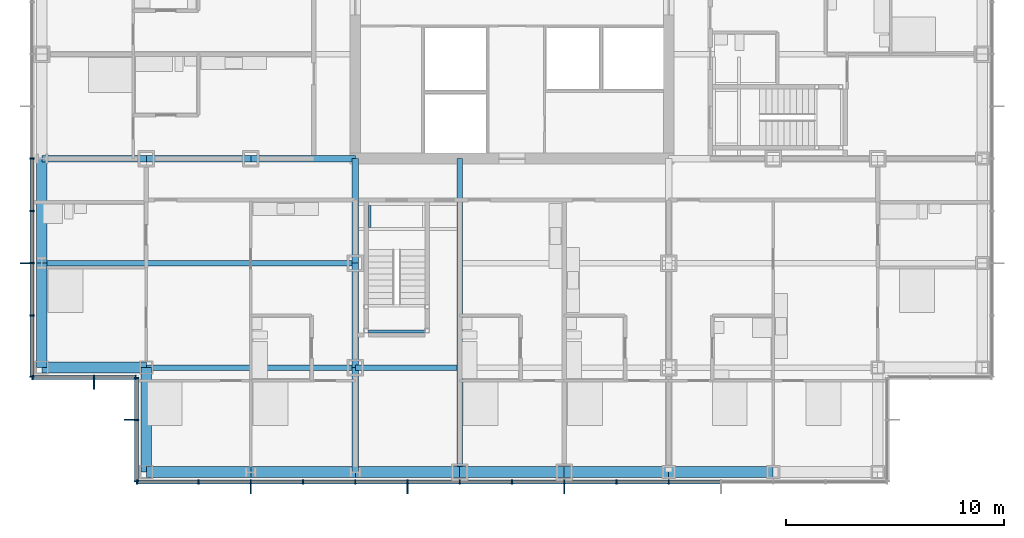
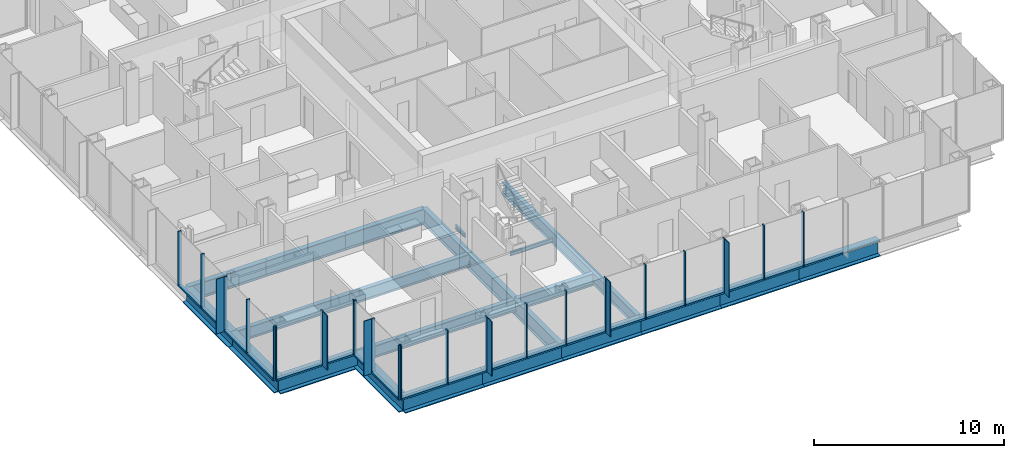
# One storey, part 6 of 21: 47 members, 22 beams, 4 elements without a shape of their own.
"""IFC4 building model written with IfcOpenShell, lengths in metres."""

from ifc_helpers import new_model, si_unit, direction, frame, origin, origin_2d, place, context, subcontext, project, spatial, rectangle, i_section, extrude, material, material_profile, profile_set, type_object, element, aggregate, save


model = new_model("IFC4")

# Units and contexts
model_context = context("Model", 3, precision=1e-05, world=origin(), true_north=direction((0.0, 1.0)))
body_context = subcontext(model_context, "Body", "Model", "MODEL_VIEW")
ifc_project = project(units=[si_unit("LENGTHUNIT", "METRE"), si_unit("AREAUNIT", "SQUARE_METRE"), si_unit("VOLUMEUNIT", "CUBIC_METRE"), si_unit("PLANEANGLEUNIT", "RADIAN"), si_unit("MASSUNIT", "GRAM", prefix="KILO")], contexts=[model_context])

# Site, building, storey
site_placement = place(None, origin())
site = spatial("IfcSite", under=ifc_project, at=site_placement, CompositionType="ELEMENT")
building_placement = place(site_placement, origin())
building = spatial("IfcBuilding", under=site, at=building_placement, Name="Kvirike Care Tower", CompositionType="ELEMENT")
storey_placement = place(building_placement, frame((0.0, 0.0, 55.0)))
storey = spatial("IfcBuildingStorey", under=building, at=storey_placement, Name="L14", CompositionType="ELEMENT", Elevation=55.0)

# Curtain wall, member
ifc_material_1 = material(Name="Anodised aluminium stick system", Category="aluminium")
curtain_wall_type = type_object("IfcCurtainWallType", Name="CW-A STICK CURTAIN WALL", PredefinedType="NOTDEFINED", material=ifc_material_1)
curtain_wall_1_placement = place(storey_placement, origin())
curtain_wall_1 = element("IfcCurtainWall", 1, at=curtain_wall_1_placement, inside=storey, type_object=curtain_wall_type, Name="Curtain wall L14 face 1", PredefinedType="NOTDEFINED")
ifc_material_2 = material(Name="Bronze anodised aluminium fin", Category="aluminium")
ifc_material_profile_1 = material_profile(ifc_material_2, rectangle(XDim=0.050048828125, YDim=0.449951171875, at=origin_2d()), Name="BRONZE FIN 450")
ifc_profile_set_1 = profile_set([ifc_material_profile_1], Name="Bronze anodised aluminium fin")
member_type_1 = type_object("IfcMemberType", Name="BRONZE FIN 450", PredefinedType="USERDEFINED", material=ifc_profile_set_1)
member_1_placement = place(storey_placement, frame((-0.77490234375, 24.0, 0.0), z_axis=(0.0, 0.0, 1.0), x_axis=(0.0, -1.0, 0.0)))
member_1 = element("IfcMember", 2, at=member_1_placement, type_object=member_type_1, Name="Bronze fin L14 face 1.13", ObjectType="FIN", PredefinedType="USERDEFINED", context=body_context, shape_type="SweptSolid", body=[
    extrude(rectangle(XDim=0.050048828125, YDim=0.449951171875, at=origin_2d()), origin(), (0.0, 0.0, 1.0), 3.5),
])

curtain_wall_2_placement = place(storey_placement, origin())
curtain_wall_2 = element("IfcCurtainWall", 3, at=curtain_wall_2_placement, inside=storey, type_object=curtain_wall_type, Name="Curtain wall L14 face 2", PredefinedType="NOTDEFINED")
member_2_placement = place(storey_placement, frame((2.39990234375, 18.425048828125, 0.0), z_axis=(0.0, 0.0, 1.0), x_axis=(1.0, 0.0, 0.0)))
member_2 = element("IfcMember", 4, at=member_2_placement, type_object=member_type_1, Name="Bronze fin L14 face 2.2", ObjectType="FIN", PredefinedType="USERDEFINED", context=body_context, shape_type="SweptSolid", body=[
    extrude(rectangle(XDim=0.050048828125, YDim=0.449951171875, at=origin_2d()), origin(), (0.0, 0.0, 1.0), 3.5),
])

curtain_wall_3_placement = place(storey_placement, origin())
curtain_wall_3 = element("IfcCurtainWall", 5, at=curtain_wall_3_placement, inside=storey, type_object=curtain_wall_type, Name="Curtain wall L14 face 3", PredefinedType="NOTDEFINED")
member_3_placement = place(storey_placement, frame((4.02490234375, 16.800048828125, 0.0), z_axis=(0.0, 0.0, 1.0), x_axis=(0.0, -1.0, 0.0)))
member_3 = element("IfcMember", 6, at=member_3_placement, type_object=member_type_1, Name="Bronze fin L14 face 3.2", ObjectType="FIN", PredefinedType="USERDEFINED", context=body_context, shape_type="SweptSolid", body=[
    extrude(rectangle(XDim=0.050048828125, YDim=0.449951171875, at=origin_2d()), origin(), (0.0, 0.0, 1.0), 3.5),
])

# Curtain wall, members
curtain_wall_4_placement = place(storey_placement, origin())
curtain_wall_4 = element("IfcCurtainWall", 7, at=curtain_wall_4_placement, inside=storey, type_object=curtain_wall_type, Name="Curtain wall L14 face 4", PredefinedType="NOTDEFINED")
member_4_placement = place(storey_placement, frame((9.60009765625, 13.625, 0.0), z_axis=(0.0, 0.0, 1.0), x_axis=(1.0, 0.0, 0.0)))
member_4 = element("IfcMember", 8, at=member_4_placement, type_object=member_type_1, Name="Bronze fin L14 face 4.3", ObjectType="FIN", PredefinedType="USERDEFINED", context=body_context, shape_type="SweptSolid", body=[
    extrude(rectangle(XDim=0.050048828125, YDim=0.449951171875, at=origin_2d()), origin(), (0.0, 0.0, 1.0), 3.5),
])
member_5_placement = place(storey_placement, frame((16.800048828125, 13.625, 0.0), z_axis=(0.0, 0.0, 1.0), x_axis=(1.0, 0.0, 0.0)))
member_5 = element("IfcMember", 9, at=member_5_placement, type_object=member_type_1, Name="Bronze fin L14 face 4.6", ObjectType="FIN", PredefinedType="USERDEFINED", context=body_context, shape_type="SweptSolid", body=[
    extrude(rectangle(XDim=0.050048828125, YDim=0.449951171875, at=origin_2d()), origin(), (0.0, 0.0, 1.0), 3.5),
])
member_6_placement = place(storey_placement, frame((24.0, 13.625, 0.0), z_axis=(0.0, 0.0, 1.0), x_axis=(1.0, 0.0, 0.0)))
member_6 = element("IfcMember", 10, at=member_6_placement, type_object=member_type_1, Name="Bronze fin L14 face 4.9", ObjectType="FIN", PredefinedType="USERDEFINED", context=body_context, shape_type="SweptSolid", body=[
    extrude(rectangle(XDim=0.050048828125, YDim=0.449951171875, at=origin_2d()), origin(), (0.0, 0.0, 1.0), 3.5),
])

# Member
ifc_material_3 = material(Name="Bronze anodised aluminium mullion", Category="aluminium")
ifc_material_profile_2 = material_profile(ifc_material_3, rectangle(XDim=0.06494140625, YDim=0.199951171875, at=origin_2d()), Name="CW-A MULLION 65x200")
ifc_profile_set_2 = profile_set([ifc_material_profile_2], Name="Bronze anodised aluminium mullion")
member_type_2 = type_object("IfcMemberType", Name="CW-A MULLION 65x200", PredefinedType="MULLION", material=ifc_profile_set_2)
member_7_placement = place(storey_placement, frame((-0.449951171875, 28.800048828125, 0.0), z_axis=(0.0, 0.0, 1.0), x_axis=(0.0, -1.0, 0.0)))
member_7 = element("IfcMember", 11, at=member_7_placement, type_object=member_type_2, Name="CW-A mullion L14 face 1.11", PredefinedType="MULLION", context=body_context, shape_type="SweptSolid", body=[
    extrude(rectangle(XDim=0.06494140625, YDim=0.199951171875, at=origin_2d()), origin(), (0.0, 0.0, 1.0), 3.5),
])

member_8_placement = place(storey_placement, frame((-0.449951171875, 26.39990234375, 0.0), z_axis=(0.0, 0.0, 1.0), x_axis=(0.0, -1.0, 0.0)))
member_8 = element("IfcMember", 12, at=member_8_placement, type_object=member_type_2, Name="CW-A mullion L14 face 1.12", PredefinedType="MULLION", context=body_context, shape_type="SweptSolid", body=[
    extrude(rectangle(XDim=0.06494140625, YDim=0.199951171875, at=origin_2d()), origin(), (0.0, 0.0, 1.0), 3.5),
])

member_9_placement = place(storey_placement, frame((-0.449951171875, 24.0, 0.0), z_axis=(0.0, 0.0, 1.0), x_axis=(0.0, -1.0, 0.0)))
member_9 = element("IfcMember", 13, at=member_9_placement, type_object=member_type_2, Name="CW-A mullion L14 face 1.13", PredefinedType="MULLION", context=body_context, shape_type="SweptSolid", body=[
    extrude(rectangle(XDim=0.06494140625, YDim=0.199951171875, at=origin_2d()), origin(), (0.0, 0.0, 1.0), 3.5),
])

member_10_placement = place(storey_placement, frame((-0.449951171875, 21.60009765625, 0.0), z_axis=(0.0, 0.0, 1.0), x_axis=(0.0, -1.0, 0.0)))
member_10 = element("IfcMember", 14, at=member_10_placement, type_object=member_type_2, Name="CW-A mullion L14 face 1.14", PredefinedType="MULLION", context=body_context, shape_type="SweptSolid", body=[
    extrude(rectangle(XDim=0.06494140625, YDim=0.199951171875, at=origin_2d()), origin(), (0.0, 0.0, 1.0), 3.5),
])

member_11_placement = place(storey_placement, frame((-0.449951171875, 18.782470703125, 0.0), z_axis=(0.0, 0.0, 1.0), x_axis=(0.0, -1.0, 0.0)))
member_11 = element("IfcMember", 15, at=member_11_placement, type_object=member_type_2, Name="CW-A mullion L14 face 1.15", PredefinedType="MULLION", context=body_context, shape_type="SweptSolid", body=[
    extrude(rectangle(XDim=0.06494140625, YDim=0.199951171875, at=origin_2d()), origin(), (0.0, 0.0, 1.0), 3.5),
])

member_12_placement = place(storey_placement, frame((-0.41748046875, 18.75, 0.0), z_axis=(0.0, 0.0, 1.0), x_axis=(1.0, 0.0, 0.0)))
member_12 = element("IfcMember", 16, at=member_12_placement, type_object=member_type_2, Name="CW-A mullion L14 face 2.1", PredefinedType="MULLION", context=body_context, shape_type="SweptSolid", body=[
    extrude(rectangle(XDim=0.06494140625, YDim=0.199951171875, at=origin_2d()), origin(), (0.0, 0.0, 1.0), 3.5),
])

member_13_placement = place(storey_placement, frame((2.39990234375, 18.75, 0.0), z_axis=(0.0, 0.0, 1.0), x_axis=(1.0, 0.0, 0.0)))
member_13 = element("IfcMember", 17, at=member_13_placement, type_object=member_type_2, Name="CW-A mullion L14 face 2.2", PredefinedType="MULLION", context=body_context, shape_type="SweptSolid", body=[
    extrude(rectangle(XDim=0.06494140625, YDim=0.199951171875, at=origin_2d()), origin(), (0.0, 0.0, 1.0), 3.5),
])

member_14_placement = place(storey_placement, frame((4.3173828125, 18.75, 0.0), z_axis=(0.0, 0.0, 1.0), x_axis=(1.0, 0.0, 0.0)))
member_14 = element("IfcMember", 18, at=member_14_placement, type_object=member_type_2, Name="CW-A mullion L14 face 2.3", PredefinedType="MULLION", context=body_context, shape_type="SweptSolid", body=[
    extrude(rectangle(XDim=0.06494140625, YDim=0.199951171875, at=origin_2d()), origin(), (0.0, 0.0, 1.0), 3.5),
])

member_15_placement = place(storey_placement, frame((4.35009765625, 18.717529296875, 0.0), z_axis=(0.0, 0.0, 1.0), x_axis=(0.0, -1.0, 0.0)))
member_15 = element("IfcMember", 19, at=member_15_placement, type_object=member_type_2, Name="CW-A mullion L14 face 3.1", PredefinedType="MULLION", context=body_context, shape_type="SweptSolid", body=[
    extrude(rectangle(XDim=0.06494140625, YDim=0.199951171875, at=origin_2d()), origin(), (0.0, 0.0, 1.0), 3.5),
])

member_16_placement = place(storey_placement, frame((4.35009765625, 16.800048828125, 0.0), z_axis=(0.0, 0.0, 1.0), x_axis=(0.0, -1.0, 0.0)))
member_16 = element("IfcMember", 20, at=member_16_placement, type_object=member_type_2, Name="CW-A mullion L14 face 3.2", PredefinedType="MULLION", context=body_context, shape_type="SweptSolid", body=[
    extrude(rectangle(XDim=0.06494140625, YDim=0.199951171875, at=origin_2d()), origin(), (0.0, 0.0, 1.0), 3.5),
])

member_17_placement = place(storey_placement, frame((4.35009765625, 13.982421875, 0.0), z_axis=(0.0, 0.0, 1.0), x_axis=(0.0, -1.0, 0.0)))
member_17 = element("IfcMember", 21, at=member_17_placement, type_object=member_type_2, Name="CW-A mullion L14 face 3.3", PredefinedType="MULLION", context=body_context, shape_type="SweptSolid", body=[
    extrude(rectangle(XDim=0.06494140625, YDim=0.199951171875, at=origin_2d()), origin(), (0.0, 0.0, 1.0), 3.5),
])

member_18_placement = place(storey_placement, frame((4.382568359375, 13.949951171875, 0.0), z_axis=(0.0, 0.0, 1.0), x_axis=(1.0, 0.0, 0.0)))
member_18 = element("IfcMember", 22, at=member_18_placement, type_object=member_type_2, Name="CW-A mullion L14 face 4.1", PredefinedType="MULLION", context=body_context, shape_type="SweptSolid", body=[
    extrude(rectangle(XDim=0.06494140625, YDim=0.199951171875, at=origin_2d()), origin(), (0.0, 0.0, 1.0), 3.5),
])

member_19_placement = place(storey_placement, frame((7.199951171875, 13.949951171875, 0.0), z_axis=(0.0, 0.0, 1.0), x_axis=(1.0, 0.0, 0.0)))
member_19 = element("IfcMember", 23, at=member_19_placement, type_object=member_type_2, Name="CW-A mullion L14 face 4.2", PredefinedType="MULLION", context=body_context, shape_type="SweptSolid", body=[
    extrude(rectangle(XDim=0.06494140625, YDim=0.199951171875, at=origin_2d()), origin(), (0.0, 0.0, 1.0), 3.5),
])

member_20_placement = place(storey_placement, frame((9.60009765625, 13.949951171875, 0.0), z_axis=(0.0, 0.0, 1.0), x_axis=(1.0, 0.0, 0.0)))
member_20 = element("IfcMember", 24, at=member_20_placement, type_object=member_type_2, Name="CW-A mullion L14 face 4.3", PredefinedType="MULLION", context=body_context, shape_type="SweptSolid", body=[
    extrude(rectangle(XDim=0.06494140625, YDim=0.199951171875, at=origin_2d()), origin(), (0.0, 0.0, 1.0), 3.5),
])

member_21_placement = place(storey_placement, frame((12.0, 13.949951171875, 0.0), z_axis=(0.0, 0.0, 1.0), x_axis=(1.0, 0.0, 0.0)))
member_21 = element("IfcMember", 25, at=member_21_placement, type_object=member_type_2, Name="CW-A mullion L14 face 4.4", PredefinedType="MULLION", context=body_context, shape_type="SweptSolid", body=[
    extrude(rectangle(XDim=0.06494140625, YDim=0.199951171875, at=origin_2d()), origin(), (0.0, 0.0, 1.0), 3.5),
])

member_22_placement = place(storey_placement, frame((14.39990234375, 13.949951171875, 0.0), z_axis=(0.0, 0.0, 1.0), x_axis=(1.0, 0.0, 0.0)))
member_22 = element("IfcMember", 26, at=member_22_placement, type_object=member_type_2, Name="CW-A mullion L14 face 4.5", PredefinedType="MULLION", context=body_context, shape_type="SweptSolid", body=[
    extrude(rectangle(XDim=0.06494140625, YDim=0.199951171875, at=origin_2d()), origin(), (0.0, 0.0, 1.0), 3.5),
])

member_23_placement = place(storey_placement, frame((16.800048828125, 13.949951171875, 0.0), z_axis=(0.0, 0.0, 1.0), x_axis=(1.0, 0.0, 0.0)))
member_23 = element("IfcMember", 27, at=member_23_placement, type_object=member_type_2, Name="CW-A mullion L14 face 4.6", PredefinedType="MULLION", context=body_context, shape_type="SweptSolid", body=[
    extrude(rectangle(XDim=0.06494140625, YDim=0.199951171875, at=origin_2d()), origin(), (0.0, 0.0, 1.0), 3.5),
])

member_24_placement = place(storey_placement, frame((19.199951171875, 13.949951171875, 0.0), z_axis=(0.0, 0.0, 1.0), x_axis=(1.0, 0.0, 0.0)))
member_24 = element("IfcMember", 28, at=member_24_placement, type_object=member_type_2, Name="CW-A mullion L14 face 4.7", PredefinedType="MULLION", context=body_context, shape_type="SweptSolid", body=[
    extrude(rectangle(XDim=0.06494140625, YDim=0.199951171875, at=origin_2d()), origin(), (0.0, 0.0, 1.0), 3.5),
])

member_25_placement = place(storey_placement, frame((21.60009765625, 13.949951171875, 0.0), z_axis=(0.0, 0.0, 1.0), x_axis=(1.0, 0.0, 0.0)))
member_25 = element("IfcMember", 29, at=member_25_placement, type_object=member_type_2, Name="CW-A mullion L14 face 4.8", PredefinedType="MULLION", context=body_context, shape_type="SweptSolid", body=[
    extrude(rectangle(XDim=0.06494140625, YDim=0.199951171875, at=origin_2d()), origin(), (0.0, 0.0, 1.0), 3.5),
])

member_26_placement = place(storey_placement, frame((24.0, 13.949951171875, 0.0), z_axis=(0.0, 0.0, 1.0), x_axis=(1.0, 0.0, 0.0)))
member_26 = element("IfcMember", 30, at=member_26_placement, type_object=member_type_2, Name="CW-A mullion L14 face 4.9", PredefinedType="MULLION", context=body_context, shape_type="SweptSolid", body=[
    extrude(rectangle(XDim=0.06494140625, YDim=0.199951171875, at=origin_2d()), origin(), (0.0, 0.0, 1.0), 3.5),
])

member_27_placement = place(storey_placement, frame((26.39990234375, 13.949951171875, 0.0), z_axis=(0.0, 0.0, 1.0), x_axis=(1.0, 0.0, 0.0)))
member_27 = element("IfcMember", 31, at=member_27_placement, type_object=member_type_2, Name="CW-A mullion L14 face 4.10", PredefinedType="MULLION", context=body_context, shape_type="SweptSolid", body=[
    extrude(rectangle(XDim=0.06494140625, YDim=0.199951171875, at=origin_2d()), origin(), (0.0, 0.0, 1.0), 3.5),
])

member_28_placement = place(storey_placement, frame((28.800048828125, 13.949951171875, 0.0), z_axis=(0.0, 0.0, 1.0), x_axis=(1.0, 0.0, 0.0)))
member_28 = element("IfcMember", 32, at=member_28_placement, type_object=member_type_2, Name="CW-A mullion L14 face 4.11", PredefinedType="MULLION", context=body_context, shape_type="SweptSolid", body=[
    extrude(rectangle(XDim=0.06494140625, YDim=0.199951171875, at=origin_2d()), origin(), (0.0, 0.0, 1.0), 3.5),
])

ifc_material_4 = material(Name="Bronze anodised aluminium transom", Category="aluminium")
ifc_material_profile_3 = material_profile(ifc_material_4, rectangle(XDim=0.199951171875, YDim=0.10009765625, at=origin_2d()), Name="CW-A TRANSOM 200x100")
ifc_profile_set_3 = profile_set([ifc_material_profile_3], Name="Bronze anodised aluminium transom")
member_type_3 = type_object("IfcMemberType", Name="CW-A TRANSOM 200x100", PredefinedType="USERDEFINED", material=ifc_profile_set_3)
member_29_placement = place(storey_placement, frame((-0.449951171875, 28.767578125, 0.050048828125), z_axis=(0.0, -1.0, 0.0), x_axis=(1.0, 0.0, 0.0)))
member_29 = element("IfcMember", 33, at=member_29_placement, type_object=member_type_3, Name="CW-A sill transom L14 face 1.11", ObjectType="TRANSOM", PredefinedType="USERDEFINED", context=body_context, shape_type="SweptSolid", body=[
    extrude(rectangle(XDim=0.199951171875, YDim=0.10009765625, at=origin_2d()), origin(), (0.0, 0.0, 1.0), 2.3349609375),
])

member_30_placement = place(storey_placement, frame((-0.449951171875, 26.367431640625, 0.050048828125), z_axis=(0.0, -1.0, 0.0), x_axis=(1.0, 0.0, 0.0)))
member_30 = element("IfcMember", 34, at=member_30_placement, type_object=member_type_3, Name="CW-A sill transom L14 face 1.12", ObjectType="TRANSOM", PredefinedType="USERDEFINED", context=body_context, shape_type="SweptSolid", body=[
    extrude(rectangle(XDim=0.199951171875, YDim=0.10009765625, at=origin_2d()), origin(), (0.0, 0.0, 1.0), 2.3349609375),
])

member_31_placement = place(storey_placement, frame((-0.449951171875, 23.967529296875, 0.050048828125), z_axis=(0.0, -1.0, 0.0), x_axis=(1.0, 0.0, 0.0)))
member_31 = element("IfcMember", 35, at=member_31_placement, type_object=member_type_3, Name="CW-A sill transom L14 face 1.13", ObjectType="TRANSOM", PredefinedType="USERDEFINED", context=body_context, shape_type="SweptSolid", body=[
    extrude(rectangle(XDim=0.199951171875, YDim=0.10009765625, at=origin_2d()), origin(), (0.0, 0.0, 1.0), 2.3349609375),
])

member_32_placement = place(storey_placement, frame((-0.449951171875, 21.5673828125, 0.050048828125), z_axis=(0.0, -1.0, 0.0), x_axis=(1.0, 0.0, 0.0)))
member_32 = element("IfcMember", 36, at=member_32_placement, type_object=member_type_3, Name="CW-A sill transom L14 face 1.14", ObjectType="TRANSOM", PredefinedType="USERDEFINED", context=body_context, shape_type="SweptSolid", body=[
    extrude(rectangle(XDim=0.199951171875, YDim=0.10009765625, at=origin_2d()), origin(), (0.0, 0.0, 1.0), 2.75244140625),
])

aggregate(curtain_wall_1, [member_7, member_8, member_9, member_1, member_10, member_11, member_29, member_30, member_31, member_32])

member_33_placement = place(storey_placement, frame((-0.385009765625, 18.75, 0.050048828125), z_axis=(1.0, 0.0, 0.0), x_axis=(0.0, 1.0, 0.0)))
member_33 = element("IfcMember", 37, at=member_33_placement, type_object=member_type_3, Name="CW-A sill transom L14 face 2.1", ObjectType="TRANSOM", PredefinedType="USERDEFINED", context=body_context, shape_type="SweptSolid", body=[
    extrude(rectangle(XDim=0.199951171875, YDim=0.10009765625, at=origin_2d()), origin(), (0.0, 0.0, 1.0), 2.75244140625),
])

member_34_placement = place(storey_placement, frame((2.4326171875, 18.75, 0.050048828125), z_axis=(1.0, 0.0, 0.0), x_axis=(0.0, 1.0, 0.0)))
member_34 = element("IfcMember", 38, at=member_34_placement, type_object=member_type_3, Name="CW-A sill transom L14 face 2.2", ObjectType="TRANSOM", PredefinedType="USERDEFINED", context=body_context, shape_type="SweptSolid", body=[
    extrude(rectangle(XDim=0.199951171875, YDim=0.10009765625, at=origin_2d()), origin(), (0.0, 0.0, 1.0), 1.852294921875),
])

aggregate(curtain_wall_2, [member_12, member_13, member_2, member_14, member_33, member_34])

member_35_placement = place(storey_placement, frame((4.35009765625, 18.68505859375, 0.050048828125), z_axis=(0.0, -1.0, 0.0), x_axis=(1.0, 0.0, 0.0)))
member_35 = element("IfcMember", 39, at=member_35_placement, type_object=member_type_3, Name="CW-A sill transom L14 face 3.1", ObjectType="TRANSOM", PredefinedType="USERDEFINED", context=body_context, shape_type="SweptSolid", body=[
    extrude(rectangle(XDim=0.199951171875, YDim=0.10009765625, at=origin_2d()), origin(), (0.0, 0.0, 1.0), 1.8525390625),
])

member_36_placement = place(storey_placement, frame((4.35009765625, 16.767578125, 0.050048828125), z_axis=(0.0, -1.0, 0.0), x_axis=(1.0, 0.0, 0.0)))
member_36 = element("IfcMember", 40, at=member_36_placement, type_object=member_type_3, Name="CW-A sill transom L14 face 3.2", ObjectType="TRANSOM", PredefinedType="USERDEFINED", context=body_context, shape_type="SweptSolid", body=[
    extrude(rectangle(XDim=0.199951171875, YDim=0.10009765625, at=origin_2d()), origin(), (0.0, 0.0, 1.0), 2.752685546875),
])

aggregate(curtain_wall_3, [member_15, member_16, member_3, member_17, member_35, member_36])

member_37_placement = place(storey_placement, frame((4.4150390625, 13.949951171875, 0.050048828125), z_axis=(1.0, 0.0, 0.0), x_axis=(0.0, 1.0, 0.0)))
member_37 = element("IfcMember", 41, at=member_37_placement, type_object=member_type_3, Name="CW-A sill transom L14 face 4.1", ObjectType="TRANSOM", PredefinedType="USERDEFINED", context=body_context, shape_type="SweptSolid", body=[
    extrude(rectangle(XDim=0.199951171875, YDim=0.10009765625, at=origin_2d()), origin(), (0.0, 0.0, 1.0), 2.75244140625),
])

member_38_placement = place(storey_placement, frame((7.232421875, 13.949951171875, 0.050048828125), z_axis=(1.0, 0.0, 0.0), x_axis=(0.0, 1.0, 0.0)))
member_38 = element("IfcMember", 42, at=member_38_placement, type_object=member_type_3, Name="CW-A sill transom L14 face 4.2", ObjectType="TRANSOM", PredefinedType="USERDEFINED", context=body_context, shape_type="SweptSolid", body=[
    extrude(rectangle(XDim=0.199951171875, YDim=0.10009765625, at=origin_2d()), origin(), (0.0, 0.0, 1.0), 2.3349609375),
])

member_39_placement = place(storey_placement, frame((9.632568359375, 13.949951171875, 0.050048828125), z_axis=(1.0, 0.0, 0.0), x_axis=(0.0, 1.0, 0.0)))
member_39 = element("IfcMember", 43, at=member_39_placement, type_object=member_type_3, Name="CW-A sill transom L14 face 4.3", ObjectType="TRANSOM", PredefinedType="USERDEFINED", context=body_context, shape_type="SweptSolid", body=[
    extrude(rectangle(XDim=0.199951171875, YDim=0.10009765625, at=origin_2d()), origin(), (0.0, 0.0, 1.0), 2.3349609375),
])

member_40_placement = place(storey_placement, frame((12.032470703125, 13.949951171875, 0.050048828125), z_axis=(1.0, 0.0, 0.0), x_axis=(0.0, 1.0, 0.0)))
member_40 = element("IfcMember", 44, at=member_40_placement, type_object=member_type_3, Name="CW-A sill transom L14 face 4.4", ObjectType="TRANSOM", PredefinedType="USERDEFINED", context=body_context, shape_type="SweptSolid", body=[
    extrude(rectangle(XDim=0.199951171875, YDim=0.10009765625, at=origin_2d()), origin(), (0.0, 0.0, 1.0), 2.3349609375),
])

member_41_placement = place(storey_placement, frame((14.4326171875, 13.949951171875, 0.050048828125), z_axis=(1.0, 0.0, 0.0), x_axis=(0.0, 1.0, 0.0)))
member_41 = element("IfcMember", 45, at=member_41_placement, type_object=member_type_3, Name="CW-A sill transom L14 face 4.5", ObjectType="TRANSOM", PredefinedType="USERDEFINED", context=body_context, shape_type="SweptSolid", body=[
    extrude(rectangle(XDim=0.199951171875, YDim=0.10009765625, at=origin_2d()), origin(), (0.0, 0.0, 1.0), 2.3349609375),
])

member_42_placement = place(storey_placement, frame((16.83251953125, 13.949951171875, 0.050048828125), z_axis=(1.0, 0.0, 0.0), x_axis=(0.0, 1.0, 0.0)))
member_42 = element("IfcMember", 46, at=member_42_placement, type_object=member_type_3, Name="CW-A sill transom L14 face 4.6", ObjectType="TRANSOM", PredefinedType="USERDEFINED", context=body_context, shape_type="SweptSolid", body=[
    extrude(rectangle(XDim=0.199951171875, YDim=0.10009765625, at=origin_2d()), origin(), (0.0, 0.0, 1.0), 2.3349609375),
])

member_43_placement = place(storey_placement, frame((19.232421875, 13.949951171875, 0.050048828125), z_axis=(1.0, 0.0, 0.0), x_axis=(0.0, 1.0, 0.0)))
member_43 = element("IfcMember", 47, at=member_43_placement, type_object=member_type_3, Name="CW-A sill transom L14 face 4.7", ObjectType="TRANSOM", PredefinedType="USERDEFINED", context=body_context, shape_type="SweptSolid", body=[
    extrude(rectangle(XDim=0.199951171875, YDim=0.10009765625, at=origin_2d()), origin(), (0.0, 0.0, 1.0), 2.3349609375),
])

member_44_placement = place(storey_placement, frame((21.632568359375, 13.949951171875, 0.050048828125), z_axis=(1.0, 0.0, 0.0), x_axis=(0.0, 1.0, 0.0)))
member_44 = element("IfcMember", 48, at=member_44_placement, type_object=member_type_3, Name="CW-A sill transom L14 face 4.8", ObjectType="TRANSOM", PredefinedType="USERDEFINED", context=body_context, shape_type="SweptSolid", body=[
    extrude(rectangle(XDim=0.199951171875, YDim=0.10009765625, at=origin_2d()), origin(), (0.0, 0.0, 1.0), 2.3349609375),
])

member_45_placement = place(storey_placement, frame((24.032470703125, 13.949951171875, 0.050048828125), z_axis=(1.0, 0.0, 0.0), x_axis=(0.0, 1.0, 0.0)))
member_45 = element("IfcMember", 49, at=member_45_placement, type_object=member_type_3, Name="CW-A sill transom L14 face 4.9", ObjectType="TRANSOM", PredefinedType="USERDEFINED", context=body_context, shape_type="SweptSolid", body=[
    extrude(rectangle(XDim=0.199951171875, YDim=0.10009765625, at=origin_2d()), origin(), (0.0, 0.0, 1.0), 2.3349609375),
])

member_46_placement = place(storey_placement, frame((26.4326171875, 13.949951171875, 0.050048828125), z_axis=(1.0, 0.0, 0.0), x_axis=(0.0, 1.0, 0.0)))
member_46 = element("IfcMember", 50, at=member_46_placement, type_object=member_type_3, Name="CW-A sill transom L14 face 4.10", ObjectType="TRANSOM", PredefinedType="USERDEFINED", context=body_context, shape_type="SweptSolid", body=[
    extrude(rectangle(XDim=0.199951171875, YDim=0.10009765625, at=origin_2d()), origin(), (0.0, 0.0, 1.0), 2.3349609375),
])

member_47_placement = place(storey_placement, frame((28.83251953125, 13.949951171875, 0.050048828125), z_axis=(1.0, 0.0, 0.0), x_axis=(0.0, 1.0, 0.0)))
member_47 = element("IfcMember", 51, at=member_47_placement, type_object=member_type_3, Name="CW-A sill transom L14 face 4.11", ObjectType="TRANSOM", PredefinedType="USERDEFINED", context=body_context, shape_type="SweptSolid", body=[
    extrude(rectangle(XDim=0.199951171875, YDim=0.10009765625, at=origin_2d()), origin(), (0.0, 0.0, 1.0), 2.3349609375),
])

aggregate(curtain_wall_4, [member_18, member_19, member_20, member_4, member_21, member_22, member_23, member_5, member_24, member_25, member_26, member_6, member_27, member_28, member_37, member_38, member_39, member_40, member_41, member_42, member_43, member_44, member_45, member_46, member_47])

# Beams
ifc_material_5 = material(Name="Steel S355", Category="steel")
ifc_material_profile_4 = material_profile(ifc_material_5, i_section(OverallWidth=0.26806640625, OverallDepth=0.77001953125, WebThickness=0.015625, FlangeThickness=0.025390625, FilletRadius=0.01708984375, at=origin_2d()), Name="IPE 750x196")
ifc_profile_set_4 = profile_set([ifc_material_profile_4], Name="Steel S355")
beam_type_1 = type_object("IfcBeamType", Name="FLOOR BEAM IPE 750x196", PredefinedType="BEAM", material=ifc_profile_set_4)
beam_1_placement = place(storey_placement, frame((4.800048828125, 19.199951171875, -0.554931640625), z_axis=(1.0, 0.0, 0.0), x_axis=(0.0, 1.0, 0.0)))
element("IfcBeam", 52, at=beam_1_placement, inside=storey, type_object=beam_type_1, Name="Floor Beam E4-E6 L14", PredefinedType="BEAM", context=body_context, shape_type="SweptSolid", body=[
    extrude(i_section(OverallWidth=0.26806640625, OverallDepth=0.77001953125, WebThickness=0.015625, FlangeThickness=0.025390625, FilletRadius=0.01708984375, at=origin_2d()), origin(), (0.0, 0.0, 1.0), 9.599853515625),
])
beam_2_placement = place(storey_placement, frame((14.39990234375, 19.199951171875, -0.554931640625), z_axis=(1.0, 0.0, 0.0), x_axis=(0.0, 1.0, 0.0)))
element("IfcBeam", 53, at=beam_2_placement, inside=storey, type_object=beam_type_1, Name="Floor Beam E6-E7 L14", PredefinedType="BEAM", context=body_context, shape_type="SweptSolid", body=[
    extrude(i_section(OverallWidth=0.26806640625, OverallDepth=0.77001953125, WebThickness=0.015625, FlangeThickness=0.025390625, FilletRadius=0.01708984375, at=origin_2d()), origin(), (0.0, 0.0, 1.0), 4.666015625),
])
beam_3_placement = place(storey_placement, frame((0.0, 24.0, -0.554931640625), z_axis=(1.0, 0.0, 0.0), x_axis=(0.0, 1.0, 0.0)))
element("IfcBeam", 54, at=beam_3_placement, inside=storey, type_object=beam_type_1, Name="Floor Beam F3-F6 L14", PredefinedType="BEAM", context=body_context, shape_type="SweptSolid", body=[
    extrude(i_section(OverallWidth=0.26806640625, OverallDepth=0.77001953125, WebThickness=0.015625, FlangeThickness=0.025390625, FilletRadius=0.01708984375, at=origin_2d()), origin(), (0.0, 0.0, 1.0), 14.39990234375),
])
beam_4_placement = place(storey_placement, frame((19.199951171875, 14.39990234375, -0.554931640625), z_axis=(0.0, 1.0, 0.0), x_axis=(-1.0, 0.0, 0.0)))
element("IfcBeam", 55, at=beam_4_placement, inside=storey, type_object=beam_type_1, Name="Floor Beam D7-G7 L14", PredefinedType="BEAM", context=body_context, shape_type="SweptSolid", body=[
    extrude(i_section(OverallWidth=0.26806640625, OverallDepth=0.77001953125, WebThickness=0.015625, FlangeThickness=0.025390625, FilletRadius=0.01708984375, at=origin_2d()), origin(), (0.0, 0.0, 1.0), 14.400146484375),
])
ifc_material_6 = material(Name="Steel S355", Category="steel")
ifc_material_profile_5 = material_profile(ifc_material_6, i_section(OverallWidth=0.300048828125, OverallDepth=1.0, WebThickness=0.01904296875, FlangeThickness=0.035888671875, FilletRadius=0.030029296875, at=origin_2d()), Name="HE 1000 B")
ifc_profile_set_5 = profile_set([ifc_material_profile_5], Name="Steel S355")
beam_type_2 = type_object("IfcBeamType", Name="FRAME BEAM HE 1000 B", PredefinedType="BEAM", material=ifc_profile_set_5)
for number, where, z_axis, x_axis, name in (
    (56, (0.0, 28.800048828125, -0.669921875), (1.0, 0.0, 0.0), (0.0, 1.0, 0.0), "Frame Beam G3-G4 L14"),
    (57, (4.800048828125, 28.800048828125, -0.669921875), (1.0, 0.0, 0.0), (0.0, 1.0, 0.0), "Frame Beam G4-G5 L14"),
):
    element("IfcBeam", number, at=place(storey_placement, frame(where, z_axis=z_axis, x_axis=x_axis)), inside=storey, type_object=beam_type_2, Name=name, PredefinedType="BEAM", context=body_context, shape_type="SweptSolid", body=[
        extrude(i_section(OverallWidth=0.300048828125, OverallDepth=1.0, WebThickness=0.01904296875, FlangeThickness=0.035888671875, FilletRadius=0.030029296875, at=origin_2d()), origin(), (0.0, 0.0, 1.0), 4.800048828125),
    ])
beam_5_placement = place(storey_placement, frame((9.60009765625, 28.800048828125, -0.669921875), z_axis=(1.0, 0.0, 0.0), x_axis=(0.0, 1.0, 0.0)))
element("IfcBeam", 58, at=beam_5_placement, inside=storey, type_object=beam_type_2, Name="Frame Beam G5-G6 L14", PredefinedType="BEAM", context=body_context, shape_type="SweptSolid", body=[
    extrude(i_section(OverallWidth=0.300048828125, OverallDepth=1.0, WebThickness=0.01904296875, FlangeThickness=0.035888671875, FilletRadius=0.030029296875, at=origin_2d()), origin(), (0.0, 0.0, 1.0), 4.7998046875),
])
for number, where, z_axis, x_axis, name in (
    (59, (14.39990234375, 14.39990234375, -0.669921875), (0.0, 1.0, 0.0), (-1.0, 0.0, 0.0), "Frame Beam D6-E6 L14"),
    (60, (14.39990234375, 19.199951171875, -0.669921875), (0.0, 1.0, 0.0), (-1.0, 0.0, 0.0), "Frame Beam E6-F6 L14"),
    (61, (14.39990234375, 24.0, -0.669921875), (0.0, 1.0, 0.0), (-1.0, 0.0, 0.0), "Frame Beam F6-G6 L14"),
):
    element("IfcBeam", number, at=place(storey_placement, frame(where, z_axis=z_axis, x_axis=x_axis)), inside=storey, type_object=beam_type_2, Name=name, PredefinedType="BEAM", context=body_context, shape_type="SweptSolid", body=[
        extrude(i_section(OverallWidth=0.300048828125, OverallDepth=1.0, WebThickness=0.01904296875, FlangeThickness=0.035888671875, FilletRadius=0.030029296875, at=origin_2d()), origin(), (0.0, 0.0, 1.0), 4.800048828125),
    ])
ifc_material_7 = material(Name="Steel S355", Category="steel")
ifc_material_profile_6 = material_profile(ifc_material_7, i_section(OverallWidth=0.5, OverallDepth=1.0, WebThickness=0.030029296875, FlangeThickness=0.06005859375, at=origin_2d()), Name="PG 1000x500x30x60")
ifc_profile_set_6 = profile_set([ifc_material_profile_6], Name="Steel S355")
beam_type_3 = type_object("IfcBeamType", Name="SPANDREL PG 1000x500x30x60", PredefinedType="SPANDREL", material=ifc_profile_set_6)
beam_6_placement = place(storey_placement, frame((4.800048828125, 14.39990234375, -0.669921875), z_axis=(1.0, 0.0, 0.0), x_axis=(0.0, 1.0, 0.0)))
element("IfcBeam", 62, at=beam_6_placement, inside=storey, type_object=beam_type_3, Name="Spandrel D4-D5 L14", PredefinedType="SPANDREL", context=body_context, shape_type="SweptSolid", body=[
    extrude(i_section(OverallWidth=0.5, OverallDepth=1.0, WebThickness=0.030029296875, FlangeThickness=0.06005859375, at=origin_2d()), origin(), (0.0, 0.0, 1.0), 4.800048828125),
])
beam_7_placement = place(storey_placement, frame((9.60009765625, 14.39990234375, -0.669921875), z_axis=(1.0, 0.0, 0.0), x_axis=(0.0, 1.0, 0.0)))
element("IfcBeam", 63, at=beam_7_placement, inside=storey, type_object=beam_type_3, Name="Spandrel D5-D6 L14", PredefinedType="SPANDREL", context=body_context, shape_type="SweptSolid", body=[
    extrude(i_section(OverallWidth=0.5, OverallDepth=1.0, WebThickness=0.030029296875, FlangeThickness=0.06005859375, at=origin_2d()), origin(), (0.0, 0.0, 1.0), 4.7998046875),
])
for number, where, z_axis, x_axis, name in (
    (64, (14.39990234375, 14.39990234375, -0.669921875), (1.0, 0.0, 0.0), (0.0, 1.0, 0.0), "Spandrel D6-D7 L14"),
    (65, (19.199951171875, 14.39990234375, -0.669921875), (1.0, 0.0, 0.0), (0.0, 1.0, 0.0), "Spandrel D7-D8 L14"),
    (66, (24.0, 14.39990234375, -0.669921875), (1.0, 0.0, 0.0), (0.0, 1.0, 0.0), "Spandrel D8-D9 L14"),
    (67, (28.800048828125, 14.39990234375, -0.669921875), (1.0, 0.0, 0.0), (0.0, 1.0, 0.0), "Spandrel D9-D10 L14"),
    (68, (0.0, 19.199951171875, -0.669921875), (1.0, 0.0, 0.0), (0.0, 1.0, 0.0), "Spandrel E3-E4 L14"),
    (69, (0.0, 19.199951171875, -0.669921875), (0.0, 1.0, 0.0), (-1.0, 0.0, 0.0), "Spandrel E3-F3 L14"),
    (70, (0.0, 24.0, -0.669921875), (0.0, 1.0, 0.0), (-1.0, 0.0, 0.0), "Spandrel F3-G3 L14"),
    (71, (4.800048828125, 14.39990234375, -0.669921875), (0.0, 1.0, 0.0), (-1.0, 0.0, 0.0), "Spandrel D4-E4 L14"),
):
    element("IfcBeam", number, at=place(storey_placement, frame(where, z_axis=z_axis, x_axis=x_axis)), inside=storey, type_object=beam_type_3, Name=name, PredefinedType="SPANDREL", context=body_context, shape_type="SweptSolid", body=[
        extrude(i_section(OverallWidth=0.5, OverallDepth=1.0, WebThickness=0.030029296875, FlangeThickness=0.06005859375, at=origin_2d()), origin(), (0.0, 0.0, 1.0), 4.800048828125),
    ])
ifc_material_8 = material(Name="Steel S355", Category="steel")
ifc_material_profile_7 = material_profile(ifc_material_8, i_section(OverallWidth=0.1201171875, OverallDepth=0.239990234375, WebThickness=0.006103515625, FlangeThickness=0.009765625, FilletRadius=0.014892578125, at=origin_2d()), Name="IPE 240")
ifc_profile_set_7 = profile_set([ifc_material_profile_7], Name="Steel S355")
beam_type_4 = type_object("IfcBeamType", Name="STAIR LANDING BEAM IPE 240", PredefinedType="BEAM", material=ifc_profile_set_7)
beam_8_placement = place(storey_placement, frame((15.0, 20.860107421875, 1.429931640625), z_axis=(1.0, 0.0, 0.0), x_axis=(0.0, 1.0, 0.0)))
element("IfcBeam", 72, at=beam_8_placement, inside=storey, type_object=beam_type_4, Name="Stair 5 landing beam back L14", PredefinedType="BEAM", context=body_context, shape_type="SweptSolid", body=[
    extrude(i_section(OverallWidth=0.1201171875, OverallDepth=0.239990234375, WebThickness=0.006103515625, FlangeThickness=0.009765625, FilletRadius=0.014892578125, at=origin_2d()), origin(), (0.0, 0.0, 1.0), 2.60009765625),
])
beam_9_placement = place(storey_placement, frame((15.06005859375, 25.64990234375, -0.320068359375), z_axis=(0.0, 1.0, 0.0), x_axis=(-1.0, 0.0, 0.0)))
element("IfcBeam", 73, at=beam_9_placement, inside=storey, type_object=beam_type_4, Name="Stair 5 landing edge beam 1 L14", PredefinedType="BEAM", context=body_context, shape_type="SweptSolid", body=[
    extrude(i_section(OverallWidth=0.1201171875, OverallDepth=0.239990234375, WebThickness=0.006103515625, FlangeThickness=0.009765625, FilletRadius=0.014892578125, at=origin_2d()), origin(), (0.0, 0.0, 1.0), 1.0),
])

save(model, "model.ifc")
